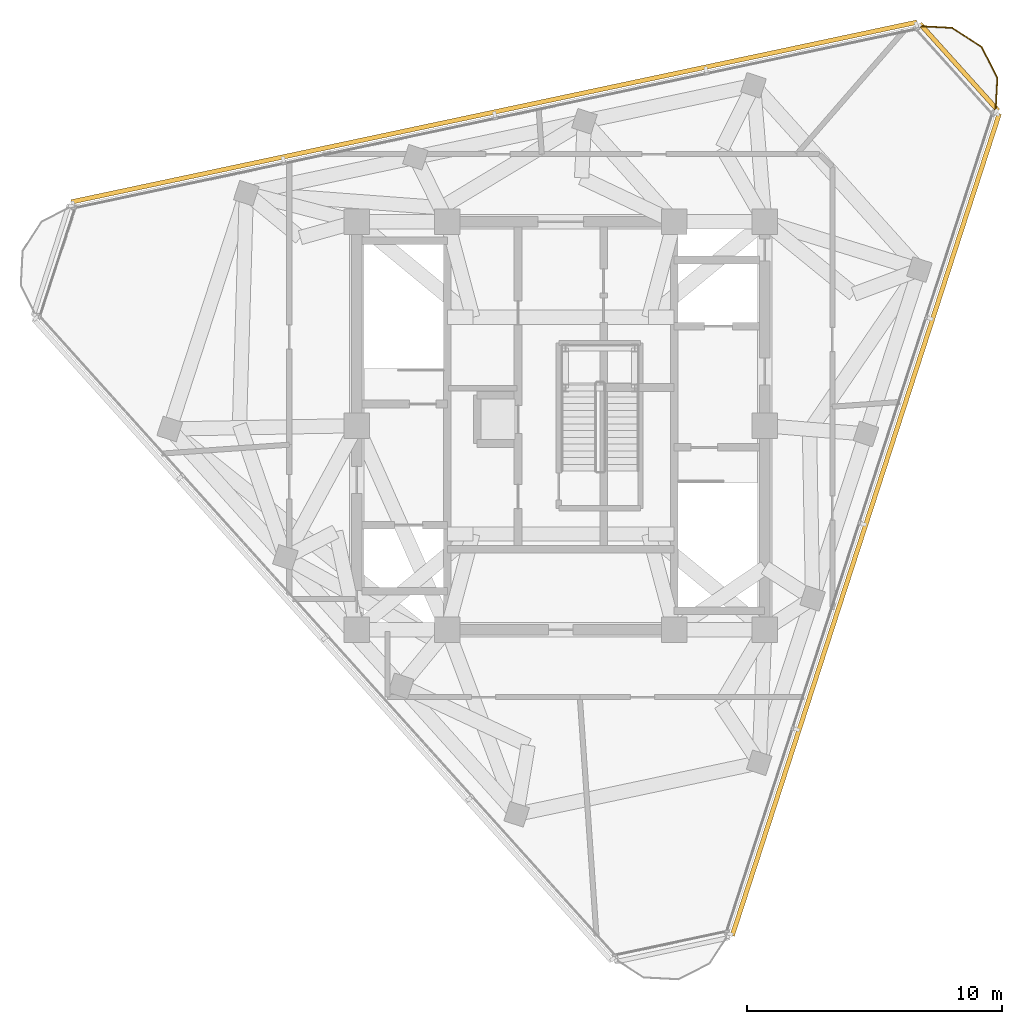
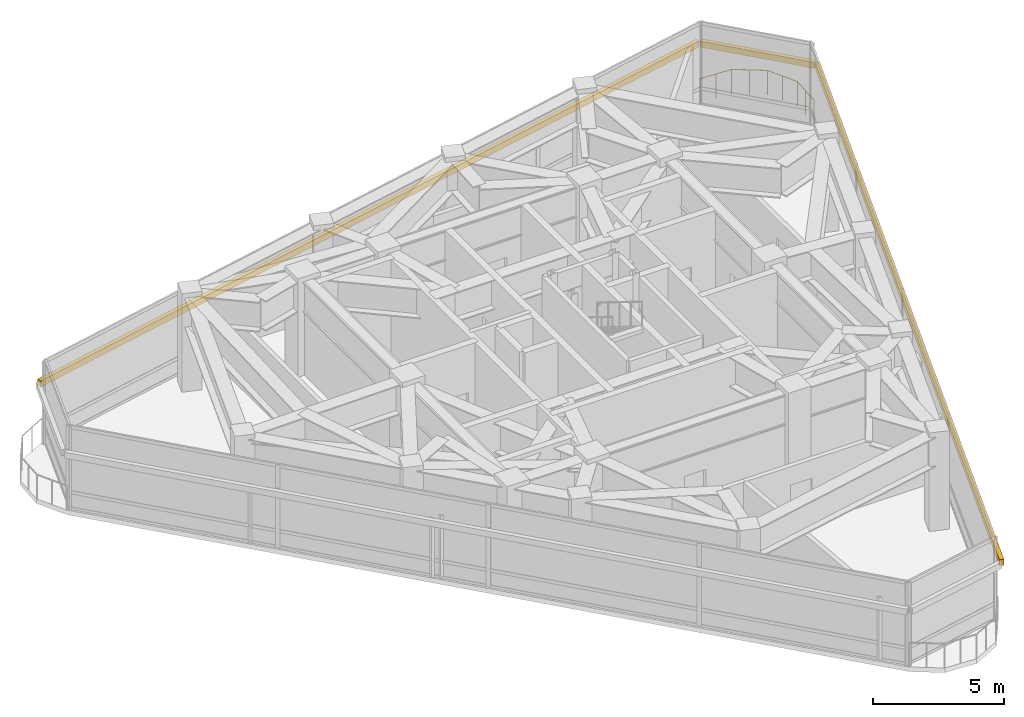
# One storey, part 10 of 11: 3 shading devices, 1 railing.
"""IFC4 building model written with IfcOpenShell, lengths in metres."""

import ifcopenshell
import ifcopenshell.guid

model = None  # the IFC model being written
_history = None  # IfcOwnerHistory: only IFC2X3 demands one
_inside = {}  # id of a spatial element -> (the spatial element, [elements in it])
_under = {}  # id of a project, library or spatial element -> (it, [spatial elements below it])
_declared = {}  # id of a project -> (the project, [libraries it declares])
_typed = {}  # id of a type object -> (the type object, [elements of that type])
_made_of = {}  # id of a material, layer set ... -> (it, [elements and type objects made of it])


def new_model(schema):
    """Start an empty IFC model of exactly this schema.

    Asked for "IFC4X3", IfcOpenShell would pick the latest addendum, in which some entities
    have other attributes; the version numbers below select the first issue.
    IFC2X3 requires an IfcOwnerHistory on every rooted entity: one is made here for all.
    """
    global model, _history
    if schema == "IFC4X3":
        model = ifcopenshell.file(schema_version=(4, 3, 0, 0))
    else:
        model = ifcopenshell.file(schema=schema)
    _inside.clear()
    _under.clear()
    _declared.clear()
    _typed.clear()
    _made_of.clear()
    _history = None
    if model.schema == "IFC2X3":
        org = make("IfcOrganization", Name="unknown")
        user = make(
            "IfcPersonAndOrganization",
            ThePerson=make("IfcPerson", FamilyName="unknown"),
            TheOrganization=org,
        )
        app = make(
            "IfcApplication",
            ApplicationDeveloper=org,
            Version="unknown",
            ApplicationFullName="unknown",
            ApplicationIdentifier="unknown",
        )
        _history = make(
            "IfcOwnerHistory",
            OwningUser=user,
            OwningApplication=app,
            ChangeAction="ADDED",
            CreationDate=0,
        )
    return model


def make(cls, **values):
    """One entity of the class cls with the attributes given. An attribute that is None is left unset."""
    return model.create_entity(
        cls, **{name: value for name, value in values.items() if value is not None}
    )


def rooted(cls, **values):
    """An entity with a GlobalId (a new one), such as an element, a storey or a relation."""
    return make(cls, GlobalId=ifcopenshell.guid.new(), OwnerHistory=_history, **values)


def si_unit(unit_type, name, prefix=None):
    """IfcSIUnit, for example si_unit("LENGTHUNIT", "METRE", prefix="MILLI")."""
    return make("IfcSIUnit", UnitType=unit_type, Prefix=prefix, Name=name)


def assignment(units):
    """IfcUnitAssignment: the units of a project."""
    return None if units is None else make("IfcUnitAssignment", Units=units)


def point(xyz):
    """IfcCartesianPoint."""
    return None if xyz is None else make("IfcCartesianPoint", Coordinates=xyz)


def direction(xyz):
    """IfcDirection."""
    return None if xyz is None else make("IfcDirection", DirectionRatios=xyz)


def frame(location, z_axis=None, x_axis=None):
    """IfcAxis2Placement3D, a coordinate frame: its origin and axes. An axis left out is left unset."""
    return make(
        "IfcAxis2Placement3D",
        Location=point(location),
        Axis=direction(z_axis),
        RefDirection=direction(x_axis),
    )


def frame_2d(location, x_axis=None):
    """IfcAxis2Placement2D, a coordinate frame in the plane: its origin and x axis."""
    return make(
        "IfcAxis2Placement2D", Location=point(location), RefDirection=direction(x_axis)
    )


def origin():
    """The frame at (0, 0, 0) with its axes left unset."""
    return frame((0.0, 0.0, 0.0))


def origin_2d():
    """The frame at (0, 0) in the plane with its x axis left unset."""
    return frame_2d((0.0, 0.0))


def place(relative_to, where):
    """IfcLocalPlacement: puts the frame where relative to a parent placement (None: the world)."""
    return make(
        "IfcLocalPlacement", PlacementRelTo=relative_to, RelativePlacement=where
    )


def context(
    kind, dimensions, precision=None, world=None, true_north=None, identifier=None
):
    """IfcGeometricRepresentationContext, for example the 3D "Model" context."""
    return make(
        "IfcGeometricRepresentationContext",
        ContextIdentifier=identifier,
        ContextType=kind,
        CoordinateSpaceDimension=dimensions,
        Precision=precision,
        WorldCoordinateSystem=world,
        TrueNorth=true_north,
    )


def subcontext(parent, identifier, kind, view, scale=None):
    """IfcGeometricRepresentationSubContext, for example "Body" below "Model"."""
    return make(
        "IfcGeometricRepresentationSubContext",
        ContextIdentifier=identifier,
        ContextType=kind,
        ParentContext=parent,
        TargetScale=scale,
        TargetView=view,
    )


def project(units=None, contexts=None):
    """IfcProject with its units and contexts."""
    return rooted(
        "IfcProject",
        Name="project",
        RepresentationContexts=contexts,
        UnitsInContext=assignment(units),
    )


def spatial(cls, under=None, at=None, **own):
    """A site, building, storey or space (cls), placed at a placement, below another one or the project."""
    s = rooted(cls, ObjectPlacement=at, **own)
    if under is not None:
        _under.setdefault(under.id(), (under, []))[1].append(s)
    return s


def profile(cls, at=None, kind="AREA", **sizes):
    """A parametric profile (cls). Its sizes go by their IFC names, for example OverallWidth=200.0."""
    return make(cls, ProfileType=kind, Position=at, **sizes)


def rectangle(**sizes):
    """IfcRectangleProfileDef."""
    return profile("IfcRectangleProfileDef", **sizes)


def circle(**sizes):
    """IfcCircleProfileDef."""
    return profile("IfcCircleProfileDef", **sizes)


def extrude(swept, where, along, depth):
    """IfcExtrudedAreaSolid: the profile swept, set in the frame where, extruded along a direction by depth."""
    return make(
        "IfcExtrudedAreaSolid",
        SweptArea=swept,
        Position=where,
        ExtrudedDirection=direction(along),
        Depth=depth,
    )


def shape(context_of_items, identifier, shape_type, items):
    """IfcShapeRepresentation: the items that make up one representation, for example the "Body"."""
    return make(
        "IfcShapeRepresentation",
        ContextOfItems=context_of_items,
        RepresentationIdentifier=identifier,
        RepresentationType=shape_type,
        Items=items,
    )


def material(Name=None, Category=None):
    """IfcMaterial."""
    return make("IfcMaterial", Name=Name, Category=Category)


def layer(
    of_material, thickness, ventilated=None, Name=None, Category=None, Priority=None
):
    """IfcMaterialLayer: one layer of a wall or slab, of a material (None: an air gap)."""
    return make(
        "IfcMaterialLayer",
        Material=of_material,
        LayerThickness=thickness,
        IsVentilated=ventilated,
        Name=Name,
        Category=Category,
        Priority=Priority,
    )


def layer_set(layers, Name=None):
    """IfcMaterialLayerSet."""
    return make("IfcMaterialLayerSet", MaterialLayers=layers, LayerSetName=Name)


def made_of(thing, what):
    """Note that an element or type object is made of a material, layer set ...; save() writes the relation."""
    if what is not None:
        _made_of.setdefault(what.id(), (what, []))[1].append(thing)
    return thing


def type_object(cls, material=None, **own):
    """A type object (cls), such as IfcWallType, which elements share."""
    return made_of(rooted(cls, **own), material)


def element(
    cls,
    number,
    at=None,
    inside=None,
    cuts=None,
    type_object=None,
    material=None,
    context=None,
    identifier="Body",
    shape_type=None,
    held_by="IfcProductDefinitionShape",
    body=None,
    shapes=None,
    **own,
):
    """One element of the class cls, such as IfcWall. Its Tag is "e" and its number.

    at: its placement. inside: the storey or other place that contains it. cuts: it is an
    opening in that element (IfcRelVoidsElement). A single representation is given by context,
    identifier, shape_type and body (its items); several are given by shapes. held_by: the class
    of the entity that holds the representations. save() writes the other relations.
    """
    e = rooted(cls, Tag="e%d" % number, ObjectPlacement=at, **own)
    if body is not None:
        shapes = [shape(context, identifier, shape_type, body)]
    if shapes is not None:
        e.Representation = make(held_by, Representations=shapes)
    if inside is not None:
        _inside.setdefault(inside.id(), (inside, []))[1].append(e)
    if cuts is not None:
        rooted(
            "IfcRelVoidsElement", RelatingBuildingElement=cuts, RelatedOpeningElement=e
        )
    if type_object is not None:
        _typed.setdefault(type_object.id(), (type_object, []))[1].append(e)
    return made_of(e, material)


def aggregate(whole, parts):
    """IfcRelAggregates: a whole, such as a stair, and the parts it consists of."""
    return rooted("IfcRelAggregates", RelatingObject=whole, RelatedObjects=parts)


def save(model, path):
    """Write the relations noted so far, then the file.

    IfcRelAggregates (storeys below a building ...), IfcRelContainedInSpatialStructure (elements
    in a storey), IfcRelDefinesByType, IfcRelAssociatesMaterial and IfcRelDeclares: one each for
    every whole, place, type object, material and project.
    """
    for whole, parts in _under.values():
        aggregate(whole, parts)
    for where, things in _inside.values():
        rooted(
            "IfcRelContainedInSpatialStructure",
            RelatedElements=things,
            RelatingStructure=where,
        )
    for kind, things in _typed.values():
        rooted("IfcRelDefinesByType", RelatedObjects=things, RelatingType=kind)
    for what, things in _made_of.values():
        rooted("IfcRelAssociatesMaterial", RelatedObjects=things, RelatingMaterial=what)
    for by, libraries in _declared.values():
        rooted("IfcRelDeclares", RelatingContext=by, RelatedDefinitions=libraries)
    model.write(path)


model = new_model("IFC4")

# Units and contexts
model_context = context("Model", 3, precision=1e-05, world=origin(), true_north=direction((0.0, 1.0)))
body_context = subcontext(model_context, "Body", "Model", "MODEL_VIEW")
ifc_project = project(units=[si_unit("LENGTHUNIT", "METRE"), si_unit("AREAUNIT", "SQUARE_METRE"), si_unit("VOLUMEUNIT", "CUBIC_METRE"), si_unit("PLANEANGLEUNIT", "RADIAN"), si_unit("MASSUNIT", "GRAM", prefix="KILO")], contexts=[model_context])

# Site, building, storey
site_placement = place(None, origin())
site = spatial("IfcSite", under=ifc_project, at=site_placement, CompositionType="ELEMENT")
building_placement = place(site_placement, origin())
building = spatial("IfcBuilding", under=site, at=building_placement, Name="Terralouvre Media Tower", CompositionType="ELEMENT")
storey_placement = place(building_placement, frame((0.0, 0.0, 322.0)))
storey = spatial("IfcBuildingStorey", under=building, at=storey_placement, Name="L83", CompositionType="ELEMENT", Elevation=322.0)

# Railing
ifc_material_1 = material(Name="Stainless steel 316 handrail and balustrade", Category="steel")
ifc_layer = layer(ifc_material_1, 0.06005859375, Name="Roof Edge Safety Guardrail GR-ROOF1")
ifc_layer_set = layer_set([ifc_layer], Name="Stainless steel 316 handrail and balustrade")
railing_type = type_object("IfcRailingType", Name="Roof Edge Safety Guardrail GR-ROOF1", PredefinedType="GUARDRAIL", material=ifc_layer_set)
railing_placement = place(storey_placement, frame((17.052978515625, 12.268798828125, 0.0)))
element("IfcRailing", 1, at=railing_placement, inside=storey, type_object=railing_type, Name="L83 Wind-Corner Perimeter Safety Guardrail C1", PredefinedType="GUARDRAIL", context=body_context, shape_type="SweptSolid", body=[
    extrude(circle(Radius=0.02099609375, at=origin_2d()), frame((0.0, 0.0, 1.12890625), z_axis=(0.052708370991, 0.998609947691, 0.0), x_axis=(-0.998609947691, 0.052708370991, 0.0)), (0.0, 0.0, 1.0), 1.37109375),
    extrude(circle(Radius=0.02099609375, at=origin_2d()), frame((0.072265625, 1.369140625, 1.12890625), z_axis=(-0.453755039071, 0.891126458207, 0.0), x_axis=(-0.891126458207, -0.453755039071, 0.0)), (0.0, 0.0, 1.0), 1.370849609375),
    extrude(circle(Radius=0.02099609375, at=origin_2d()), frame((-0.5498046875, 2.5908203125, 1.12890625), z_axis=(-0.838809625128, 0.544424845863, 0.0), x_axis=(-0.544424845863, -0.838809625128, 0.0)), (0.0, 0.0, 1.0), 1.370849609375),
    extrude(circle(Radius=0.02099609375, at=origin_2d()), frame((-1.69970703125, 3.337158203125, 1.12890625), z_axis=(-0.998647187142, 0.051998034709, 0.0), x_axis=(-0.051998034709, -0.998647187142, 0.0)), (0.0, 0.0, 1.0), 1.37109375),
    extrude(circle(Radius=0.01904296875, at=origin_2d()), origin(), (0.0, 0.0, 1.0), 1.10791015625),
    extrude(circle(Radius=0.01904296875, at=origin_2d()), frame((0.0361328125, 0.6845703125, 0.0)), (0.0, 0.0, 1.0), 1.10791015625),
    extrude(circle(Radius=0.01904296875, at=origin_2d()), frame((0.072265625, 1.369140625, 0.0)), (0.0, 0.0, 1.0), 1.10791015625),
    extrude(circle(Radius=0.01904296875, at=origin_2d()), frame((-0.23876953125, 1.97998046875, 0.0)), (0.0, 0.0, 1.0), 1.10791015625),
    extrude(circle(Radius=0.01904296875, at=origin_2d()), frame((-0.5498046875, 2.5908203125, 0.0)), (0.0, 0.0, 1.0), 1.10791015625),
    extrude(circle(Radius=0.01904296875, at=origin_2d()), frame((-1.124755859375, 2.9638671875, 0.0)), (0.0, 0.0, 1.0), 1.10791015625),
    extrude(circle(Radius=0.01904296875, at=origin_2d()), frame((-1.69970703125, 3.337158203125, 0.0)), (0.0, 0.0, 1.0), 1.10791015625),
    extrude(circle(Radius=0.01904296875, at=origin_2d()), frame((-2.38427734375, 3.372802734375, 0.0)), (0.0, 0.0, 1.0), 1.10791015625),
    extrude(circle(Radius=0.01904296875, at=origin_2d()), frame((-3.06884765625, 3.408447265625, 0.0)), (0.0, 0.0, 1.0), 1.10791015625),
])

# Shading devices
ifc_material_2 = material(Name="Extruded terracotta baguette sunshade louvres", Category="masonry")
shading_device_type = type_object("IfcShadingDeviceType", Name="Terracotta Baguette Sunshade Louvre Screen TB-LV1", PredefinedType="USERDEFINED", material=ifc_material_2)
for number, where, z_axis, x_axis, name in (
    (2, (11.96044921875, -3.88623046875, 2.56982421875), (0.0, 0.0, 1.0), (0.30901679585, 0.9510565808, 0.0), "CW-L83-F0 Terracotta Baguette Sunshade Louvre"),
    (3, (-2.61474609375, 12.30126953125, 2.56982421875), (0.0, 0.0, 1.0), (-0.978147633966, -0.207911534473, 0.0), "CW-L83-F1 Terracotta Baguette Sunshade Louvre"),
):
    element("IfcShadingDevice", number, at=place(storey_placement, frame(where, z_axis=z_axis, x_axis=x_axis)), inside=storey, type_object=shading_device_type, Name=name, ObjectType="BAGUETTE", PredefinedType="USERDEFINED", context=body_context, shape_type="SweptSolid", body=[
        extrude(rectangle(XDim=33.89990234375, YDim=0.179931640625, at=origin_2d()), origin(), (0.0, 0.0, 1.0), 0.280029296875),
    ])
shading_device_placement = place(storey_placement, frame((15.618896484375, 14.063232421875, 2.56982421875), z_axis=(0.0, 0.0, 1.0), x_axis=(-0.66913178706, 0.743143762368, 0.0)))
element("IfcShadingDevice", 4, at=shading_device_placement, inside=storey, type_object=shading_device_type, Name="CW-L83-C1 Terracotta Baguette Sunshade Louvre", ObjectType="BAGUETTE", PredefinedType="USERDEFINED", context=body_context, shape_type="SweptSolid", body=[
    extrude(rectangle(XDim=4.58984375, YDim=0.179931640625, at=origin_2d()), origin(), (0.0, 0.0, 1.0), 0.280029296875),
])

save(model, "model.ifc")
